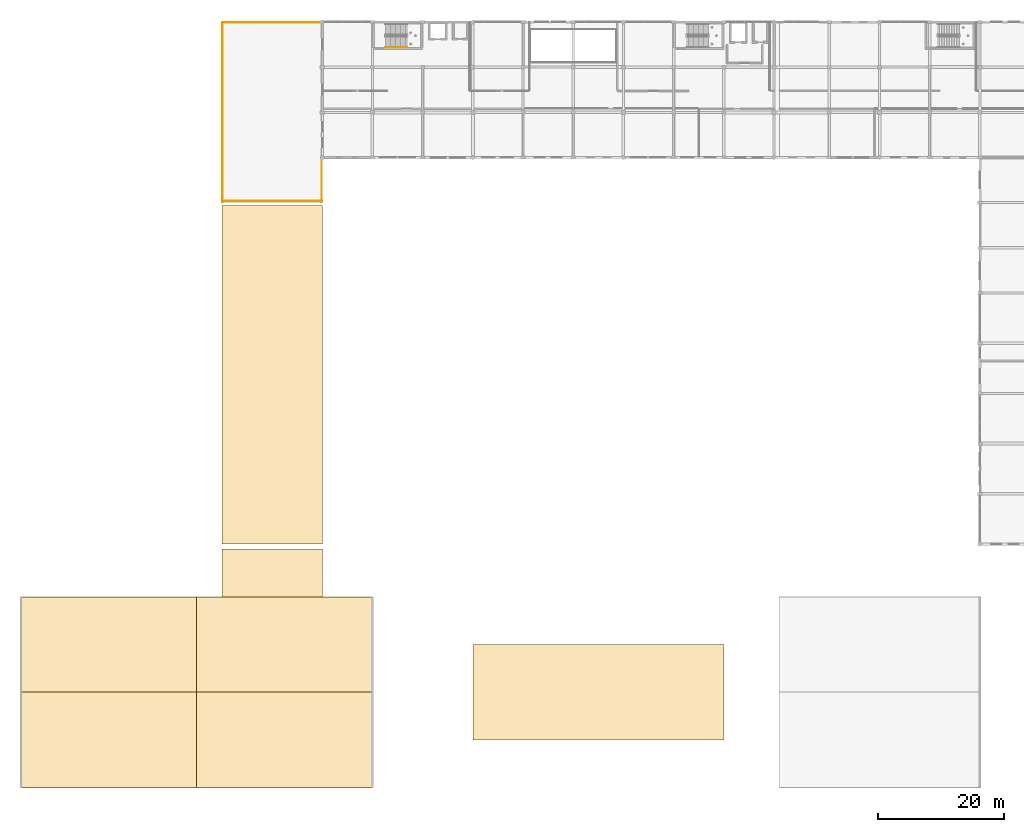
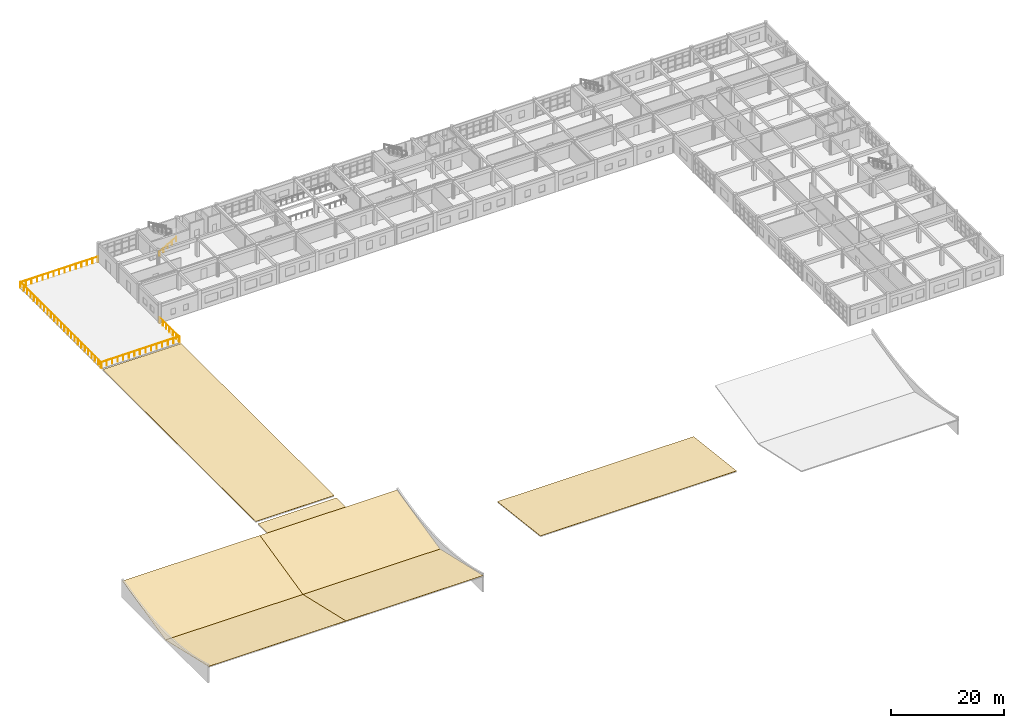
# One storey, part 48 of 53: 7 coverings, 5 railings.
"""IFC4 building model written with IfcOpenShell, lengths in metres."""

import ifcopenshell
import ifcopenshell.guid

model = None  # the IFC model being written
_history = None  # IfcOwnerHistory: only IFC2X3 demands one
_inside = {}  # id of a spatial element -> (the spatial element, [elements in it])
_under = {}  # id of a project, library or spatial element -> (it, [spatial elements below it])
_declared = {}  # id of a project -> (the project, [libraries it declares])
_typed = {}  # id of a type object -> (the type object, [elements of that type])
_made_of = {}  # id of a material, layer set ... -> (it, [elements and type objects made of it])


def new_model(schema):
    """Start an empty IFC model of exactly this schema.

    Asked for "IFC4X3", IfcOpenShell would pick the latest addendum, in which some entities
    have other attributes; the version numbers below select the first issue.
    IFC2X3 requires an IfcOwnerHistory on every rooted entity: one is made here for all.
    """
    global model, _history
    if schema == "IFC4X3":
        model = ifcopenshell.file(schema_version=(4, 3, 0, 0))
    else:
        model = ifcopenshell.file(schema=schema)
    _inside.clear()
    _under.clear()
    _declared.clear()
    _typed.clear()
    _made_of.clear()
    _history = None
    if model.schema == "IFC2X3":
        org = make("IfcOrganization", Name="unknown")
        user = make(
            "IfcPersonAndOrganization",
            ThePerson=make("IfcPerson", FamilyName="unknown"),
            TheOrganization=org,
        )
        app = make(
            "IfcApplication",
            ApplicationDeveloper=org,
            Version="unknown",
            ApplicationFullName="unknown",
            ApplicationIdentifier="unknown",
        )
        _history = make(
            "IfcOwnerHistory",
            OwningUser=user,
            OwningApplication=app,
            ChangeAction="ADDED",
            CreationDate=0,
        )
    return model


def make(cls, **values):
    """One entity of the class cls with the attributes given. An attribute that is None is left unset."""
    return model.create_entity(
        cls, **{name: value for name, value in values.items() if value is not None}
    )


def rooted(cls, **values):
    """An entity with a GlobalId (a new one), such as an element, a storey or a relation."""
    return make(cls, GlobalId=ifcopenshell.guid.new(), OwnerHistory=_history, **values)


def si_unit(unit_type, name, prefix=None):
    """IfcSIUnit, for example si_unit("LENGTHUNIT", "METRE", prefix="MILLI")."""
    return make("IfcSIUnit", UnitType=unit_type, Prefix=prefix, Name=name)


def assignment(units):
    """IfcUnitAssignment: the units of a project."""
    return None if units is None else make("IfcUnitAssignment", Units=units)


def point(xyz):
    """IfcCartesianPoint."""
    return None if xyz is None else make("IfcCartesianPoint", Coordinates=xyz)


def direction(xyz):
    """IfcDirection."""
    return None if xyz is None else make("IfcDirection", DirectionRatios=xyz)


def frame(location, z_axis=None, x_axis=None):
    """IfcAxis2Placement3D, a coordinate frame: its origin and axes. An axis left out is left unset."""
    return make(
        "IfcAxis2Placement3D",
        Location=point(location),
        Axis=direction(z_axis),
        RefDirection=direction(x_axis),
    )


def frame_2d(location, x_axis=None):
    """IfcAxis2Placement2D, a coordinate frame in the plane: its origin and x axis."""
    return make(
        "IfcAxis2Placement2D", Location=point(location), RefDirection=direction(x_axis)
    )


def origin():
    """The frame at (0, 0, 0) with its axes left unset."""
    return frame((0.0, 0.0, 0.0))


def origin_2d():
    """The frame at (0, 0) in the plane with its x axis left unset."""
    return frame_2d((0.0, 0.0))


def place(relative_to, where):
    """IfcLocalPlacement: puts the frame where relative to a parent placement (None: the world)."""
    return make(
        "IfcLocalPlacement", PlacementRelTo=relative_to, RelativePlacement=where
    )


def context(
    kind, dimensions, precision=None, world=None, true_north=None, identifier=None
):
    """IfcGeometricRepresentationContext, for example the 3D "Model" context."""
    return make(
        "IfcGeometricRepresentationContext",
        ContextIdentifier=identifier,
        ContextType=kind,
        CoordinateSpaceDimension=dimensions,
        Precision=precision,
        WorldCoordinateSystem=world,
        TrueNorth=true_north,
    )


def subcontext(parent, identifier, kind, view, scale=None):
    """IfcGeometricRepresentationSubContext, for example "Body" below "Model"."""
    return make(
        "IfcGeometricRepresentationSubContext",
        ContextIdentifier=identifier,
        ContextType=kind,
        ParentContext=parent,
        TargetScale=scale,
        TargetView=view,
    )


def project(units=None, contexts=None):
    """IfcProject with its units and contexts."""
    return rooted(
        "IfcProject",
        Name="project",
        RepresentationContexts=contexts,
        UnitsInContext=assignment(units),
    )


def spatial(cls, under=None, at=None, **own):
    """A site, building, storey or space (cls), placed at a placement, below another one or the project."""
    s = rooted(cls, ObjectPlacement=at, **own)
    if under is not None:
        _under.setdefault(under.id(), (under, []))[1].append(s)
    return s


def polyline(points):
    """IfcPolyline through the points."""
    return make("IfcPolyline", Points=[point(p) for p in points])


def profile(cls, at=None, kind="AREA", **sizes):
    """A parametric profile (cls). Its sizes go by their IFC names, for example OverallWidth=200.0."""
    return make(cls, ProfileType=kind, Position=at, **sizes)


def circle(**sizes):
    """IfcCircleProfileDef."""
    return profile("IfcCircleProfileDef", **sizes)


def outline(outer, holes=None, kind="AREA"):
    """IfcArbitraryClosedProfileDef: a profile drawn as a closed curve; with holes, ...WithVoids."""
    if holes is None:
        return make("IfcArbitraryClosedProfileDef", ProfileType=kind, OuterCurve=outer)
    return make(
        "IfcArbitraryProfileDefWithVoids",
        ProfileType=kind,
        OuterCurve=outer,
        InnerCurves=holes,
    )


def extrude(swept, where, along, depth):
    """IfcExtrudedAreaSolid: the profile swept, set in the frame where, extruded along a direction by depth."""
    return make(
        "IfcExtrudedAreaSolid",
        SweptArea=swept,
        Position=where,
        ExtrudedDirection=direction(along),
        Depth=depth,
    )


def shape(context_of_items, identifier, shape_type, items):
    """IfcShapeRepresentation: the items that make up one representation, for example the "Body"."""
    return make(
        "IfcShapeRepresentation",
        ContextOfItems=context_of_items,
        RepresentationIdentifier=identifier,
        RepresentationType=shape_type,
        Items=items,
    )


def material(Name=None, Category=None):
    """IfcMaterial."""
    return make("IfcMaterial", Name=Name, Category=Category)


def layer(
    of_material, thickness, ventilated=None, Name=None, Category=None, Priority=None
):
    """IfcMaterialLayer: one layer of a wall or slab, of a material (None: an air gap)."""
    return make(
        "IfcMaterialLayer",
        Material=of_material,
        LayerThickness=thickness,
        IsVentilated=ventilated,
        Name=Name,
        Category=Category,
        Priority=Priority,
    )


def layer_set(layers, Name=None):
    """IfcMaterialLayerSet."""
    return make("IfcMaterialLayerSet", MaterialLayers=layers, LayerSetName=Name)


def made_of(thing, what):
    """Note that an element or type object is made of a material, layer set ...; save() writes the relation."""
    if what is not None:
        _made_of.setdefault(what.id(), (what, []))[1].append(thing)
    return thing


def type_object(cls, material=None, **own):
    """A type object (cls), such as IfcWallType, which elements share."""
    return made_of(rooted(cls, **own), material)


def element(
    cls,
    number,
    at=None,
    inside=None,
    cuts=None,
    type_object=None,
    material=None,
    context=None,
    identifier="Body",
    shape_type=None,
    held_by="IfcProductDefinitionShape",
    body=None,
    shapes=None,
    **own,
):
    """One element of the class cls, such as IfcWall. Its Tag is "e" and its number.

    at: its placement. inside: the storey or other place that contains it. cuts: it is an
    opening in that element (IfcRelVoidsElement). A single representation is given by context,
    identifier, shape_type and body (its items); several are given by shapes. held_by: the class
    of the entity that holds the representations. save() writes the other relations.
    """
    e = rooted(cls, Tag="e%d" % number, ObjectPlacement=at, **own)
    if body is not None:
        shapes = [shape(context, identifier, shape_type, body)]
    if shapes is not None:
        e.Representation = make(held_by, Representations=shapes)
    if inside is not None:
        _inside.setdefault(inside.id(), (inside, []))[1].append(e)
    if cuts is not None:
        rooted(
            "IfcRelVoidsElement", RelatingBuildingElement=cuts, RelatedOpeningElement=e
        )
    if type_object is not None:
        _typed.setdefault(type_object.id(), (type_object, []))[1].append(e)
    return made_of(e, material)


def aggregate(whole, parts):
    """IfcRelAggregates: a whole, such as a stair, and the parts it consists of."""
    return rooted("IfcRelAggregates", RelatingObject=whole, RelatedObjects=parts)


def save(model, path):
    """Write the relations noted so far, then the file.

    IfcRelAggregates (storeys below a building ...), IfcRelContainedInSpatialStructure (elements
    in a storey), IfcRelDefinesByType, IfcRelAssociatesMaterial and IfcRelDeclares: one each for
    every whole, place, type object, material and project.
    """
    for whole, parts in _under.values():
        aggregate(whole, parts)
    for where, things in _inside.values():
        rooted(
            "IfcRelContainedInSpatialStructure",
            RelatedElements=things,
            RelatingStructure=where,
        )
    for kind, things in _typed.values():
        rooted("IfcRelDefinesByType", RelatedObjects=things, RelatingType=kind)
    for what, things in _made_of.values():
        rooted("IfcRelAssociatesMaterial", RelatedObjects=things, RelatingMaterial=what)
    for by, libraries in _declared.values():
        rooted("IfcRelDeclares", RelatingContext=by, RelatedDefinitions=libraries)
    model.write(path)


model = new_model("IFC4")

# Units and contexts
model_context = context("Model", 3, precision=1e-05, world=origin(), true_north=direction((0.0, 1.0)))
body_context = subcontext(model_context, "Body", "Model", "MODEL_VIEW")
ifc_project = project(units=[si_unit("LENGTHUNIT", "METRE"), si_unit("AREAUNIT", "SQUARE_METRE"), si_unit("VOLUMEUNIT", "CUBIC_METRE"), si_unit("PLANEANGLEUNIT", "RADIAN"), si_unit("MASSUNIT", "GRAM", prefix="KILO")], contexts=[model_context])

# Site, building, storey
site_placement = place(None, origin())
site = spatial("IfcSite", under=ifc_project, at=site_placement, CompositionType="ELEMENT")
building_placement = place(site_placement, origin())
building = spatial("IfcBuilding", under=site, at=building_placement, Name="Kharva Crest Polytechnic", CompositionType="ELEMENT")
storey_placement = place(building_placement, frame((0.0, 0.0, 17.39990234375)))
storey = spatial("IfcBuildingStorey", under=building, at=storey_placement, Name="L04", CompositionType="ELEMENT", Elevation=17.39990234375)

# Coverings
ifc_material_1 = material(Name="Anodised aluminium", Category="aluminium")
ifc_layer = layer(ifc_material_1, 0.044921875, Name="Anodised aluminium")
ifc_layer_set = layer_set([ifc_layer], Name="Anodised aluminium")
covering_type = type_object("IfcCoveringType", Name="COV-ROOF-MEMBRANE", PredefinedType="ROOFING", material=ifc_layer_set)
for number, where, z_axis, x_axis, name in (
    (1, (0.0, 0.0, 3.545166015625), (0.0, 0.224391933133, 0.97449897914), (1.0, 0.0, 0.0), "L04 Standing-Seam Roof Covering 8"),
    (2, (0.0, 15.199951171875, 0.045166015625), (0.0, -0.224391933133, 0.97449897914), (1.0, 0.0, 0.0), "L04 Standing-Seam Roof Covering 9"),
    (3, (28.0, 0.0, 3.545166015625), (0.0, 0.224391933133, 0.97449897914), (1.0, 0.0, 0.0), "L04 Standing-Seam Roof Covering 10"),
    (4, (28.0, 15.199951171875, 0.045166015625), (0.0, -0.224391933133, 0.97449897914), (1.0, 0.0, 0.0), "L04 Standing-Seam Roof Covering 11"),
):
    element("IfcCovering", number, at=place(storey_placement, frame(where, z_axis=z_axis, x_axis=x_axis)), inside=storey, type_object=covering_type, Name=name, PredefinedType="ROOFING", context=body_context, shape_type="SweptSolid", body=[
        extrude(outline(polyline([(0.0, 0.0), (28.0, 0.0), (28.0, 15.597708665935013), (0.0, 15.597708665935013), (0.0, 0.0)])), origin(), (0.0, 0.0, -1.0), 0.044921875),
    ])
covering_1_placement = place(storey_placement, origin())
element("IfcCovering", 5, at=covering_1_placement, inside=storey, type_object=covering_type, Name="L04 Standing-Seam Roof Covering 12", PredefinedType="ROOFING", context=body_context, shape_type="SweptSolid", body=[
    extrude(outline(polyline([(32.0, 30.39990234375), (48.0, 30.39990234375), (48.0, 38.0), (32.0, 38.0), (32.0, 30.39990234375)])), origin(), (0.0, 0.0, 1.0), 0.045166015625),
])
covering_2_placement = place(storey_placement, frame((72.0, 7.60009765625, 1.84521484375), z_axis=(0.0, 0.117602862063, 0.99306070652), x_axis=(1.0, 0.0, 0.0)))
element("IfcCovering", 6, at=covering_2_placement, inside=storey, type_object=covering_type, Name="L04 Standing-Seam Roof Covering 17", PredefinedType="ROOFING", context=body_context, shape_type="SweptSolid", body=[
    extrude(outline(polyline([(0.0, 0.0), (40.0, 0.0), (40.0, 15.306165143856848), (0.0, 15.306165143856848), (0.0, 0.0)])), origin(), (0.0, 0.0, -1.0), 0.044921875),
])
covering_3_placement = place(storey_placement, origin())
element("IfcCovering", 7, at=covering_3_placement, inside=storey, type_object=covering_type, Name="L04 Standing-Seam Roof Covering 18", PredefinedType="ROOFING", context=body_context, shape_type="SweptSolid", body=[
    extrude(outline(polyline([(32.0, 38.800048828125), (48.0, 38.800048828125), (48.0, 92.800048828125), (32.0, 92.800048828125), (32.0, 38.800048828125)])), origin(), (0.0, 0.0, 1.0), 0.045166015625),
])

# Railings
ifc_material_2 = material(Name="Teak timber", Category="wood")
railing_type_1 = type_object("IfcRailingType", Name="RL-STAIR-HAND-900", PredefinedType="HANDRAIL", material=ifc_material_2)
railing_1_placement = place(storey_placement, frame((58.090087890625, 117.989990234375, 0.150146484375)))
element("IfcRailing", 8, at=railing_1_placement, inside=storey, type_object=railing_type_1, Name="L04 ST-03 stair handrail 1", PredefinedType="HANDRAIL", context=body_context, shape_type="SweptSolid", body=[
    extrude(circle(Radius=0.02392578125, at=origin_2d()), frame((0.0, 0.0, 0.8759765625), z_axis=(0.870251367514, 0.0, 0.492607914411), x_axis=(0.0, 1.0, 0.0)), (0.0, 0.0, 1.0), 3.95849609375),
    extrude(circle(Radius=0.02099609375, at=origin_2d()), origin(), (0.0, 0.0, 1.0), 0.851806640625),
    extrude(circle(Radius=0.02099609375, at=origin_2d()), frame((0.861328125, 0.0, 0.487548828125)), (0.0, 0.0, 1.0), 0.851806640625),
    extrude(circle(Radius=0.02099609375, at=origin_2d()), frame((1.722412109375, 0.0, 0.97509765625)), (0.0, 0.0, 1.0), 0.851806640625),
    extrude(circle(Radius=0.02099609375, at=origin_2d()), frame((2.58349609375, 0.0, 1.46240234375)), (0.0, 0.0, 1.0), 0.851806640625),
    extrude(circle(Radius=0.02099609375, at=origin_2d()), frame((3.44482421875, 0.0, 1.949951171875)), (0.0, 0.0, 1.0), 0.851806640625),
])
railing_type_2 = type_object("IfcRailingType", Name="RL-TERRACE-GUARD-1200", PredefinedType="GUARDRAIL", material=ifc_material_1)
railing_2_placement = place(storey_placement, frame((32.06005859375, 93.47998046875, 0.0)))
element("IfcRailing", 9, at=railing_2_placement, inside=storey, type_object=railing_type_2, Name="L04 TER_NW_L04 S Balustrade 22", PredefinedType="GUARDRAIL", context=body_context, shape_type="SweptSolid", body=[
    extrude(circle(Radius=0.02392578125, at=origin_2d()), frame((0.0, 0.0, 1.17578125), z_axis=(1.0, 0.0, 0.0), x_axis=(0.0, 1.0, 0.0)), (0.0, 0.0, 1.0), 15.8798828125),
    extrude(circle(Radius=0.02099609375, at=origin_2d()), origin(), (0.0, 0.0, 1.0), 1.15185546875),
    extrude(circle(Radius=0.02099609375, at=origin_2d()), frame((1.13427734375, 0.0, 0.0)), (0.0, 0.0, 1.0), 1.15185546875),
    extrude(circle(Radius=0.02099609375, at=origin_2d()), frame((2.2685546875, 0.0, 0.0)), (0.0, 0.0, 1.0), 1.15185546875),
    extrude(circle(Radius=0.02099609375, at=origin_2d()), frame((3.40283203125, 0.0, 0.0)), (0.0, 0.0, 1.0), 1.15185546875),
    extrude(circle(Radius=0.02099609375, at=origin_2d()), frame((4.537109375, 0.0, 0.0)), (0.0, 0.0, 1.0), 1.15185546875),
    extrude(circle(Radius=0.02099609375, at=origin_2d()), frame((5.67138671875, 0.0, 0.0)), (0.0, 0.0, 1.0), 1.15185546875),
    extrude(circle(Radius=0.02099609375, at=origin_2d()), frame((6.8056640625, 0.0, 0.0)), (0.0, 0.0, 1.0), 1.15185546875),
    extrude(circle(Radius=0.02099609375, at=origin_2d()), frame((7.93994140625, 0.0, 0.0)), (0.0, 0.0, 1.0), 1.15185546875),
    extrude(circle(Radius=0.02099609375, at=origin_2d()), frame((9.07421875, 0.0, 0.0)), (0.0, 0.0, 1.0), 1.15185546875),
    extrude(circle(Radius=0.02099609375, at=origin_2d()), frame((10.20849609375, 0.0, 0.0)), (0.0, 0.0, 1.0), 1.15185546875),
    extrude(circle(Radius=0.02099609375, at=origin_2d()), frame((11.3427734375, 0.0, 0.0)), (0.0, 0.0, 1.0), 1.15185546875),
    extrude(circle(Radius=0.02099609375, at=origin_2d()), frame((12.47705078125, 0.0, 0.0)), (0.0, 0.0, 1.0), 1.15185546875),
    extrude(circle(Radius=0.02099609375, at=origin_2d()), frame((13.611328125, 0.0, 0.0)), (0.0, 0.0, 1.0), 1.15185546875),
    extrude(circle(Radius=0.02099609375, at=origin_2d()), frame((14.74560546875, 0.0, 0.0)), (0.0, 0.0, 1.0), 1.15185546875),
    extrude(circle(Radius=0.02099609375, at=origin_2d()), frame((15.8798828125, 0.0, 0.0)), (0.0, 0.0, 1.0), 1.15185546875),
])
railing_3_placement = place(storey_placement, frame((32.06005859375, 121.919921875, 0.0)))
element("IfcRailing", 10, at=railing_3_placement, inside=storey, type_object=railing_type_2, Name="L04 TER_NW_L04 N Balustrade 23", PredefinedType="GUARDRAIL", context=body_context, shape_type="SweptSolid", body=[
    extrude(circle(Radius=0.02392578125, at=origin_2d()), frame((0.0, 0.0, 1.17578125), z_axis=(1.0, 0.0, 0.0), x_axis=(0.0, 1.0, 0.0)), (0.0, 0.0, 1.0), 15.800048828125),
    extrude(circle(Radius=0.02099609375, at=origin_2d()), origin(), (0.0, 0.0, 1.0), 1.15185546875),
    extrude(circle(Radius=0.02099609375, at=origin_2d()), frame((1.128662109375, 0.0, 0.0)), (0.0, 0.0, 1.0), 1.15185546875),
    extrude(circle(Radius=0.02099609375, at=origin_2d()), frame((2.257080078125, 0.0, 0.0)), (0.0, 0.0, 1.0), 1.15185546875),
    extrude(circle(Radius=0.02099609375, at=origin_2d()), frame((3.3857421875, 0.0, 0.0)), (0.0, 0.0, 1.0), 1.15185546875),
    extrude(circle(Radius=0.02099609375, at=origin_2d()), frame((4.514404296875, 0.0, 0.0)), (0.0, 0.0, 1.0), 1.15185546875),
    extrude(circle(Radius=0.02099609375, at=origin_2d()), frame((5.642822265625, 0.0, 0.0)), (0.0, 0.0, 1.0), 1.15185546875),
    extrude(circle(Radius=0.02099609375, at=origin_2d()), frame((6.771484375, 0.0, 0.0)), (0.0, 0.0, 1.0), 1.15185546875),
    extrude(circle(Radius=0.02099609375, at=origin_2d()), frame((7.89990234375, 0.0, 0.0)), (0.0, 0.0, 1.0), 1.15185546875),
    extrude(circle(Radius=0.02099609375, at=origin_2d()), frame((9.028564453125, 0.0, 0.0)), (0.0, 0.0, 1.0), 1.15185546875),
    extrude(circle(Radius=0.02099609375, at=origin_2d()), frame((10.1572265625, 0.0, 0.0)), (0.0, 0.0, 1.0), 1.15185546875),
    extrude(circle(Radius=0.02099609375, at=origin_2d()), frame((11.28564453125, 0.0, 0.0)), (0.0, 0.0, 1.0), 1.15185546875),
    extrude(circle(Radius=0.02099609375, at=origin_2d()), frame((12.414306640625, 0.0, 0.0)), (0.0, 0.0, 1.0), 1.15185546875),
    extrude(circle(Radius=0.02099609375, at=origin_2d()), frame((13.54296875, 0.0, 0.0)), (0.0, 0.0, 1.0), 1.15185546875),
    extrude(circle(Radius=0.02099609375, at=origin_2d()), frame((14.67138671875, 0.0, 0.0)), (0.0, 0.0, 1.0), 1.15185546875),
    extrude(circle(Radius=0.02099609375, at=origin_2d()), frame((15.800048828125, 0.0, 0.0)), (0.0, 0.0, 1.0), 1.15185546875),
])
railing_4_placement = place(storey_placement, frame((32.080078125, 93.260009765625, 0.0)))
element("IfcRailing", 11, at=railing_4_placement, inside=storey, type_object=railing_type_2, Name="L04 TER_NW_L04 W Balustrade 24", PredefinedType="GUARDRAIL", context=body_context, shape_type="SweptSolid", body=[
    extrude(circle(Radius=0.02392578125, at=origin_2d()), frame((0.0, 0.0, 1.17578125), z_axis=(0.0, 1.0, 0.0), x_axis=(-1.0, 0.0, 0.0)), (0.0, 0.0, 1.0), 28.679931640625),
    extrude(circle(Radius=0.02099609375, at=origin_2d()), origin(), (0.0, 0.0, 1.0), 1.15185546875),
    extrude(circle(Radius=0.02099609375, at=origin_2d()), frame((0.0, 1.195068359375, 0.0)), (0.0, 0.0, 1.0), 1.15185546875),
    extrude(circle(Radius=0.02099609375, at=origin_2d()), frame((0.0, 2.389892578125, 0.0)), (0.0, 0.0, 1.0), 1.15185546875),
    extrude(circle(Radius=0.02099609375, at=origin_2d()), frame((0.0, 3.5849609375, 0.0)), (0.0, 0.0, 1.0), 1.15185546875),
    extrude(circle(Radius=0.02099609375, at=origin_2d()), frame((0.0, 4.780029296875, 0.0)), (0.0, 0.0, 1.0), 1.15185546875),
    extrude(circle(Radius=0.02099609375, at=origin_2d()), frame((0.0, 5.97509765625, 0.0)), (0.0, 0.0, 1.0), 1.15185546875),
    extrude(circle(Radius=0.02099609375, at=origin_2d()), frame((0.0, 7.169921875, 0.0)), (0.0, 0.0, 1.0), 1.15185546875),
    extrude(circle(Radius=0.02099609375, at=origin_2d()), frame((0.0, 8.364990234375, 0.0)), (0.0, 0.0, 1.0), 1.15185546875),
    extrude(circle(Radius=0.02099609375, at=origin_2d()), frame((0.0, 9.56005859375, 0.0)), (0.0, 0.0, 1.0), 1.15185546875),
    extrude(circle(Radius=0.02099609375, at=origin_2d()), frame((0.0, 10.7548828125, 0.0)), (0.0, 0.0, 1.0), 1.15185546875),
    extrude(circle(Radius=0.02099609375, at=origin_2d()), frame((0.0, 11.949951171875, 0.0)), (0.0, 0.0, 1.0), 1.15185546875),
    extrude(circle(Radius=0.02099609375, at=origin_2d()), frame((0.0, 13.14501953125, 0.0)), (0.0, 0.0, 1.0), 1.15185546875),
    extrude(circle(Radius=0.02099609375, at=origin_2d()), frame((0.0, 14.33984375, 0.0)), (0.0, 0.0, 1.0), 1.15185546875),
    extrude(circle(Radius=0.02099609375, at=origin_2d()), frame((0.0, 15.534912109375, 0.0)), (0.0, 0.0, 1.0), 1.15185546875),
    extrude(circle(Radius=0.02099609375, at=origin_2d()), frame((0.0, 16.72998046875, 0.0)), (0.0, 0.0, 1.0), 1.15185546875),
    extrude(circle(Radius=0.02099609375, at=origin_2d()), frame((0.0, 17.925048828125, 0.0)), (0.0, 0.0, 1.0), 1.15185546875),
    extrude(circle(Radius=0.02099609375, at=origin_2d()), frame((0.0, 19.119873046875, 0.0)), (0.0, 0.0, 1.0), 1.15185546875),
    extrude(circle(Radius=0.02099609375, at=origin_2d()), frame((0.0, 20.31494140625, 0.0)), (0.0, 0.0, 1.0), 1.15185546875),
    extrude(circle(Radius=0.02099609375, at=origin_2d()), frame((0.0, 21.510009765625, 0.0)), (0.0, 0.0, 1.0), 1.15185546875),
    extrude(circle(Radius=0.02099609375, at=origin_2d()), frame((0.0, 22.704833984375, 0.0)), (0.0, 0.0, 1.0), 1.15185546875),
    extrude(circle(Radius=0.02099609375, at=origin_2d()), frame((0.0, 23.89990234375, 0.0)), (0.0, 0.0, 1.0), 1.15185546875),
    extrude(circle(Radius=0.02099609375, at=origin_2d()), frame((0.0, 25.094970703125, 0.0)), (0.0, 0.0, 1.0), 1.15185546875),
    extrude(circle(Radius=0.02099609375, at=origin_2d()), frame((0.0, 26.2900390625, 0.0)), (0.0, 0.0, 1.0), 1.15185546875),
    extrude(circle(Radius=0.02099609375, at=origin_2d()), frame((0.0, 27.48486328125, 0.0)), (0.0, 0.0, 1.0), 1.15185546875),
    extrude(circle(Radius=0.02099609375, at=origin_2d()), frame((0.0, 28.679931640625, 0.0)), (0.0, 0.0, 1.0), 1.15185546875),
])
railing_5_placement = place(storey_placement, frame((47.919921875, 93.260009765625, 0.0)))
element("IfcRailing", 12, at=railing_5_placement, inside=storey, type_object=railing_type_2, Name="L04 TER_NW_L04 E Balustrade 25", PredefinedType="GUARDRAIL", context=body_context, shape_type="SweptSolid", body=[
    extrude(circle(Radius=0.02392578125, at=origin_2d()), frame((0.0, 0.0, 1.17578125), z_axis=(0.0, 1.0, 0.0), x_axis=(-1.0, 0.0, 0.0)), (0.0, 0.0, 1.0), 7.025146484375),
    extrude(circle(Radius=0.02099609375, at=origin_2d()), origin(), (0.0, 0.0, 1.0), 1.15185546875),
    extrude(circle(Radius=0.02099609375, at=origin_2d()), frame((0.0, 1.1708984375, 0.0)), (0.0, 0.0, 1.0), 1.15185546875),
    extrude(circle(Radius=0.02099609375, at=origin_2d()), frame((0.0, 2.341796875, 0.0)), (0.0, 0.0, 1.0), 1.15185546875),
    extrude(circle(Radius=0.02099609375, at=origin_2d()), frame((0.0, 3.5126953125, 0.0)), (0.0, 0.0, 1.0), 1.15185546875),
    extrude(circle(Radius=0.02099609375, at=origin_2d()), frame((0.0, 4.683349609375, 0.0)), (0.0, 0.0, 1.0), 1.15185546875),
    extrude(circle(Radius=0.02099609375, at=origin_2d()), frame((0.0, 5.854248046875, 0.0)), (0.0, 0.0, 1.0), 1.15185546875),
    extrude(circle(Radius=0.02099609375, at=origin_2d()), frame((0.0, 7.025146484375, 0.0)), (0.0, 0.0, 1.0), 1.15185546875),
])

save(model, "model.ifc")
